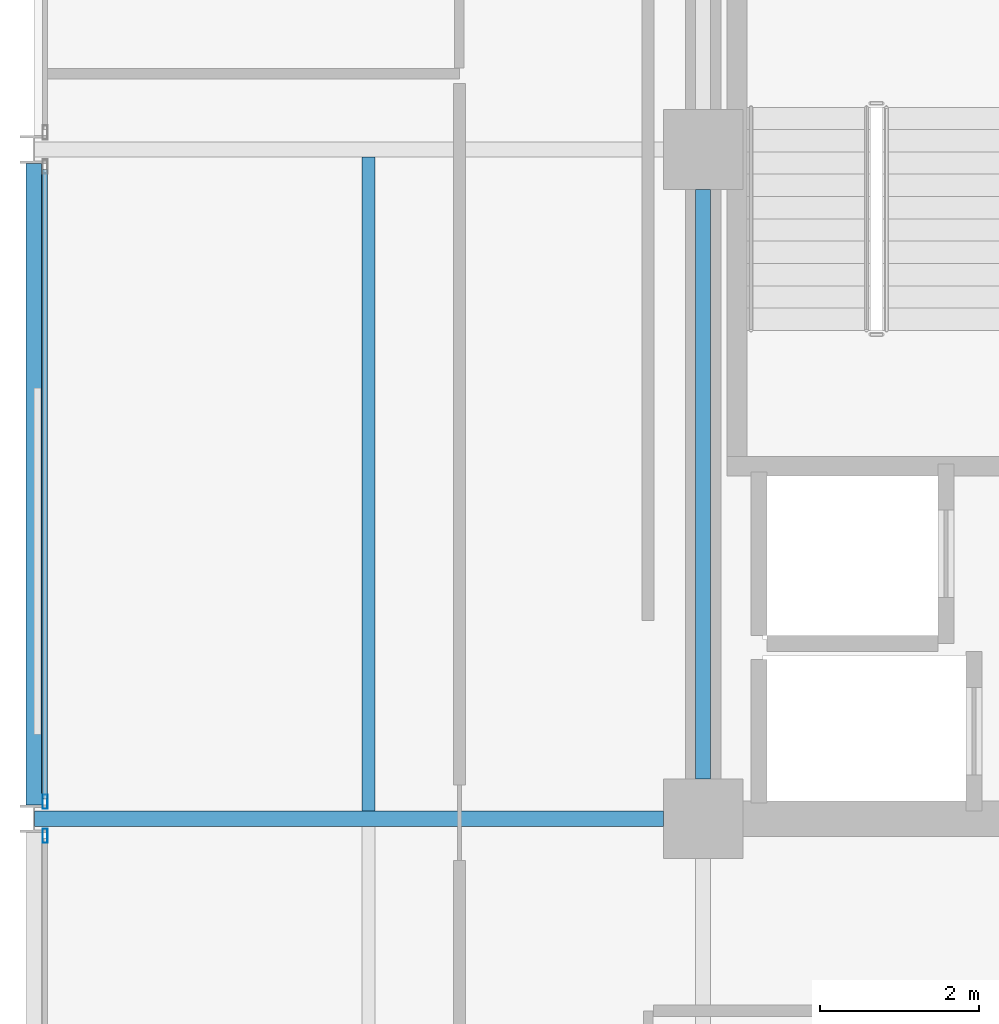
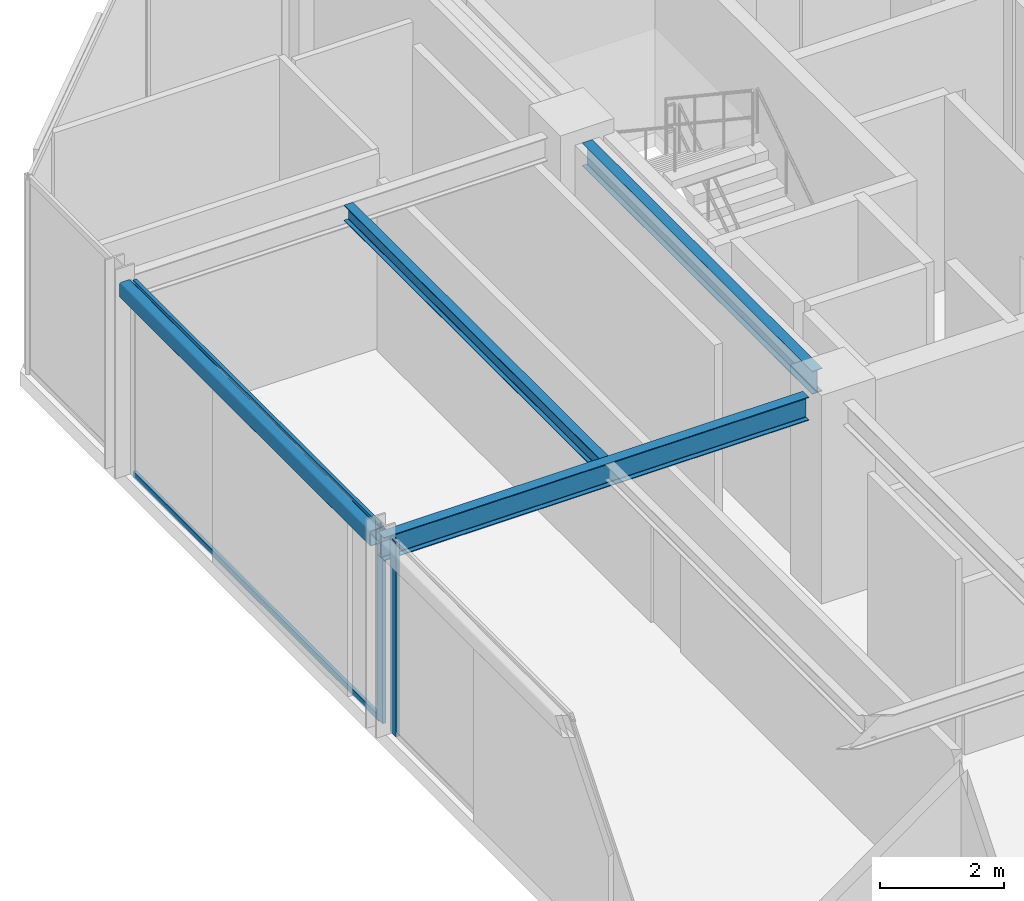
# One storey, part 10 of 25: 4 beams, 4 members, 2 elements without a shape of their own.
"""IFC4 building model written with IfcOpenShell, lengths in metres."""

from ifc_helpers import new_model, si_unit, direction, frame, origin, origin_2d, place, context, subcontext, project, spatial, hollow_rectangle, i_section, extrude, material, layer, layer_set, material_profile, profile_set, type_object, element, aggregate, save


model = new_model("IFC4")

# Units and contexts
model_context = context("Model", 3, precision=1e-05, world=origin(), true_north=direction((0.0, 1.0)))
body_context = subcontext(model_context, "Body", "Model", "MODEL_VIEW")
ifc_project = project(units=[si_unit("LENGTHUNIT", "METRE"), si_unit("AREAUNIT", "SQUARE_METRE"), si_unit("VOLUMEUNIT", "CUBIC_METRE"), si_unit("PLANEANGLEUNIT", "RADIAN"), si_unit("MASSUNIT", "GRAM", prefix="KILO")], contexts=[model_context])

# Site, building, storey
site_placement = place(None, origin())
site = spatial("IfcSite", under=ifc_project, at=site_placement, CompositionType="ELEMENT")
building_placement = place(site_placement, origin())
building = spatial("IfcBuilding", under=site, at=building_placement, Name="Nerrivon Quay Data Exchange", CompositionType="ELEMENT")
storey_placement = place(building_placement, frame((0.0, 0.0, 237.0)))
storey = spatial("IfcBuildingStorey", under=building, at=storey_placement, Name="L56", CompositionType="ELEMENT", Elevation=237.0)

# Beams
ifc_material_1 = material(Name="Steel Grade 350", Category="steel")
ifc_material_profile_1 = material_profile(ifc_material_1, i_section(OverallWidth=0.19091796875, OverallDepth=0.4599609375, WebThickness=0.010009765625, FlangeThickness=0.01611328125, FilletRadius=0.011474609375, at=origin_2d()), Name="460UB82.1")
ifc_profile_set_1 = profile_set([ifc_material_profile_1], Name="Steel Grade 350")
beam_type_1 = type_object("IfcBeamType", Name="BM-G5-460UB82", PredefinedType="BEAM", material=ifc_profile_set_1)
beam_1_placement = place(storey_placement, frame((0.010009765625, 25.199951171875, 3.594970703125), z_axis=(1.0, 0.0, 0.0), x_axis=(0.0, 1.0, 0.0)))
element("IfcBeam", 1, at=beam_1_placement, inside=storey, type_object=beam_type_1, Name="L56 EW Girder Y=25.2 (0.0..8.4)", PredefinedType="BEAM", context=body_context, shape_type="SweptSolid", body=[
    extrude(i_section(OverallWidth=0.19091796875, OverallDepth=0.4599609375, WebThickness=0.010009765625, FlangeThickness=0.01611328125, FilletRadius=0.011474609375, at=origin_2d()), origin(), (0.0, 0.0, 1.0), 7.889892578125),
])
ifc_material_profile_2 = material_profile(ifc_material_1, i_section(OverallWidth=0.18994140625, OverallDepth=0.4541015625, WebThickness=0.008544921875, FlangeThickness=0.0126953125, FilletRadius=0.011474609375, at=origin_2d()), Name="460UB67.1")
ifc_profile_set_2 = profile_set([ifc_material_profile_2], Name="Steel Grade 350")
beam_type_2 = type_object("IfcBeamType", Name="BM-G6-460UB67", PredefinedType="BEAM", material=ifc_profile_set_2)
beam_2_placement = place(storey_placement, frame((8.39990234375, 25.699951171875, 3.597900390625), z_axis=(0.0, 1.0, 0.0), x_axis=(-1.0, 0.0, 0.0)))
element("IfcBeam", 2, at=beam_2_placement, inside=storey, type_object=beam_type_2, Name="L56 NS Girder X=8.4 (25.2..33.6)", PredefinedType="BEAM", context=body_context, shape_type="SweptSolid", body=[
    extrude(i_section(OverallWidth=0.18994140625, OverallDepth=0.4541015625, WebThickness=0.008544921875, FlangeThickness=0.0126953125, FilletRadius=0.011474609375, at=origin_2d()), origin(), (0.0, 0.0, 1.0), 7.400146484375),
])
ifc_material_profile_3 = material_profile(ifc_material_1, i_section(OverallWidth=0.166015625, OverallDepth=0.306884765625, WebThickness=0.006591796875, FlangeThickness=0.01171875, FilletRadius=0.011474609375, at=origin_2d()), Name="310UB46.2")
ifc_profile_set_3 = profile_set([ifc_material_profile_3], Name="Steel Grade 350")
beam_type_3 = type_object("IfcBeamType", Name="BM-J5-310UB46", PredefinedType="JOIST", material=ifc_profile_set_3)
beam_3_placement = place(storey_placement, frame((4.199951171875, 25.29541015625, 3.67138671875), z_axis=(0.0, 1.0, 0.0), x_axis=(-1.0, 0.0, 0.0)))
element("IfcBeam", 3, at=beam_3_placement, inside=storey, type_object=beam_type_3, Name="L56 Secondary Joist X=4.2 (25.2..33.6)", PredefinedType="JOIST", context=body_context, shape_type="SweptSolid", body=[
    extrude(i_section(OverallWidth=0.166015625, OverallDepth=0.306884765625, WebThickness=0.006591796875, FlangeThickness=0.01171875, FilletRadius=0.011474609375, at=origin_2d()), origin(), (0.0, 0.0, 1.0), 8.208984375),
])
ifc_material_2 = material(Name="Steel Grade C350L0 (350 MPa)", Category="steel")
ifc_material_profile_4 = material_profile(ifc_material_2, hollow_rectangle(XDim=0.199951171875, YDim=0.300048828125, WallThickness=0.012451171875, InnerFilletRadius=0.018798828125, OuterFilletRadius=0.03125, at=origin_2d()), Name="300x200x12.5RHS")
ifc_profile_set_4 = profile_set([ifc_material_profile_4], Name="Steel Grade C350L0 (350 MPa)")
beam_type_4 = type_object("IfcBeamType", Name="BM-SP3-300x200RHS", PredefinedType="SPANDREL", material=ifc_profile_set_4)
beam_4_placement = place(storey_placement, frame((0.0, 25.375, 3.675048828125), z_axis=(0.0, 1.0, 0.0), x_axis=(-1.0, 0.0, 0.0)))
element("IfcBeam", 4, at=beam_4_placement, inside=storey, type_object=beam_type_4, Name="L56 NS Girder X=0.0 (25.2..33.6)", PredefinedType="SPANDREL", context=body_context, shape_type="SweptSolid", body=[
    extrude(hollow_rectangle(XDim=0.199951171875, YDim=0.300048828125, WallThickness=0.012451171875, InnerFilletRadius=0.018798828125, OuterFilletRadius=0.03125, at=origin_2d()), origin(), (0.0, 0.0, 1.0), 8.050048828125),
])

# Curtain wall, member
ifc_material_3 = material(Name="Anodised aluminium 6063-T6", Category="aluminium")
ifc_layer = layer(ifc_material_3, 0.195068359375)
ifc_layer_set = layer_set([ifc_layer], Name="Anodised aluminium 6063-T6")
curtain_wall_type = type_object("IfcCurtainWallType", Name="CW-SYS-06", PredefinedType="NOTDEFINED", material=ifc_layer_set)
curtain_wall_1_placement = place(storey_placement, origin())
curtain_wall_1 = element("IfcCurtainWall", 5, at=curtain_wall_1_placement, inside=storey, type_object=curtain_wall_type, Name="L56 Unitised Curtain Wall 13", PredefinedType="NOTDEFINED")
ifc_material_profile_5 = material_profile(ifc_material_3, hollow_rectangle(XDim=0.06494140625, YDim=0.179931640625, WallThickness=0.00341796875, at=origin_2d()), Name="ALU-MULL-180x65")
ifc_profile_set_5 = profile_set([ifc_material_profile_5], Name="Anodised aluminium 6063-T6")
member_type_1 = type_object("IfcMemberType", Name="CWM-180x65", PredefinedType="MULLION", material=ifc_profile_set_5)
member_1_placement = place(storey_placement, frame((0.139892578125, 24.987548828125, 0.0), z_axis=(0.0, 0.0, 1.0), x_axis=(-1.0, 0.0, 0.0)))
member_1 = element("IfcMember", 6, at=member_1_placement, type_object=member_type_1, Name="CW06 mullion 2", PredefinedType="MULLION", context=body_context, shape_type="SweptSolid", body=[
    extrude(hollow_rectangle(XDim=0.06494140625, YDim=0.179931640625, WallThickness=0.00341796875, at=origin_2d()), origin(), (0.0, 0.0, 1.0), 3.824951171875),
])
aggregate(curtain_wall_1, [member_1])

# Curtain wall, members
curtain_wall_2_placement = place(storey_placement, origin())
curtain_wall_2 = element("IfcCurtainWall", 7, at=curtain_wall_2_placement, inside=storey, type_object=curtain_wall_type, Name="L56 Unitised Curtain Wall 14", PredefinedType="NOTDEFINED")
member_2_placement = place(storey_placement, frame((0.139892578125, 25.41259765625, 0.0), z_axis=(0.0, 0.0, 1.0), x_axis=(-1.0, 0.0, 0.0)))
member_2 = element("IfcMember", 8, at=member_2_placement, type_object=member_type_1, Name="CW06 mullion 1", PredefinedType="MULLION", context=body_context, shape_type="SweptSolid", body=[
    extrude(hollow_rectangle(XDim=0.06494140625, YDim=0.179931640625, WallThickness=0.00341796875, at=origin_2d()), origin(), (0.0, 0.0, 1.0), 3.824951171875),
])
ifc_material_profile_6 = material_profile(ifc_material_3, hollow_rectangle(XDim=0.06005859375, YDim=0.1201171875, WallThickness=0.003173828125, at=origin_2d()), Name="ALU-TRAN-120x60")
ifc_profile_set_6 = profile_set([ifc_material_profile_6], Name="Anodised aluminium 6063-T6")
member_type_2 = type_object("IfcMemberType", Name="CWT-120x60", PredefinedType="USERDEFINED", material=ifc_profile_set_6)
member_3_placement = place(storey_placement, frame((0.139892578125, 25.449951171875, 0.032470703125), z_axis=(0.0, 1.0, 0.0), x_axis=(-1.0, 0.0, 0.0)))
member_3 = element("IfcMember", 9, at=member_3_placement, type_object=member_type_2, Name="CW06 transom 1.1", ObjectType="TRANSOM", PredefinedType="USERDEFINED", context=body_context, shape_type="SweptSolid", body=[
    extrude(hollow_rectangle(XDim=0.06005859375, YDim=0.1201171875, WallThickness=0.003173828125, at=origin_2d()), origin(), (0.0, 0.0, 1.0), 7.900146484375),
])
member_4_placement = place(storey_placement, frame((0.139892578125, 25.449951171875, 3.79248046875), z_axis=(0.0, 1.0, 0.0), x_axis=(-1.0, 0.0, 0.0)))
member_4 = element("IfcMember", 10, at=member_4_placement, type_object=member_type_2, Name="CW06 transom 1.2", ObjectType="TRANSOM", PredefinedType="USERDEFINED", context=body_context, shape_type="SweptSolid", body=[
    extrude(hollow_rectangle(XDim=0.06005859375, YDim=0.1201171875, WallThickness=0.003173828125, at=origin_2d()), origin(), (0.0, 0.0, 1.0), 7.900146484375),
])
aggregate(curtain_wall_2, [member_2, member_3, member_4])

save(model, "model.ifc")
